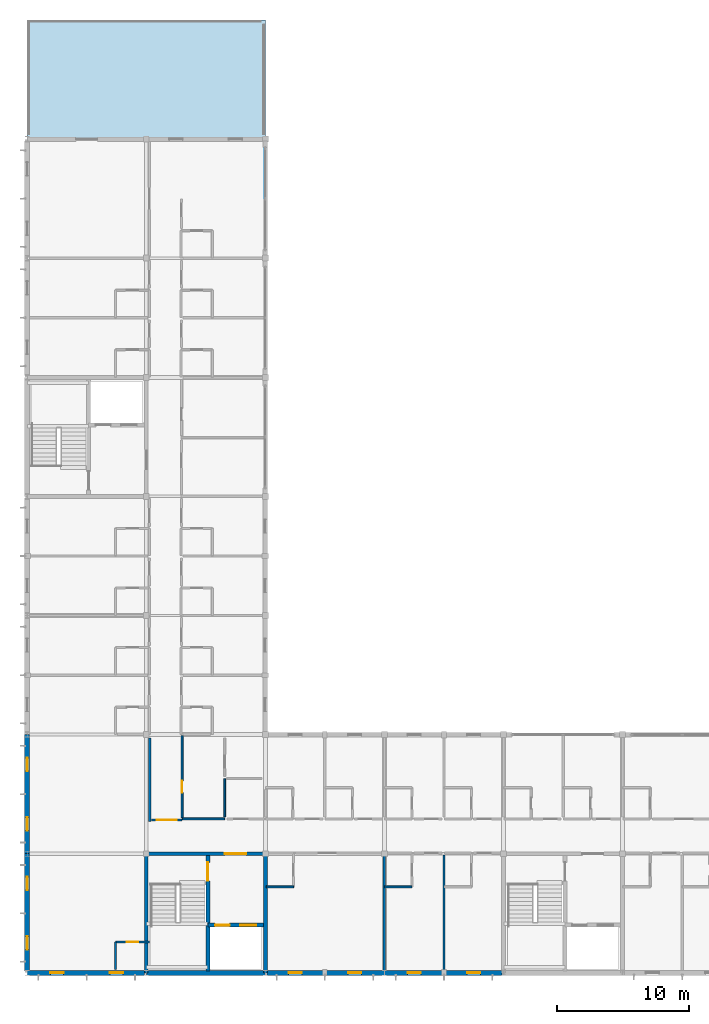
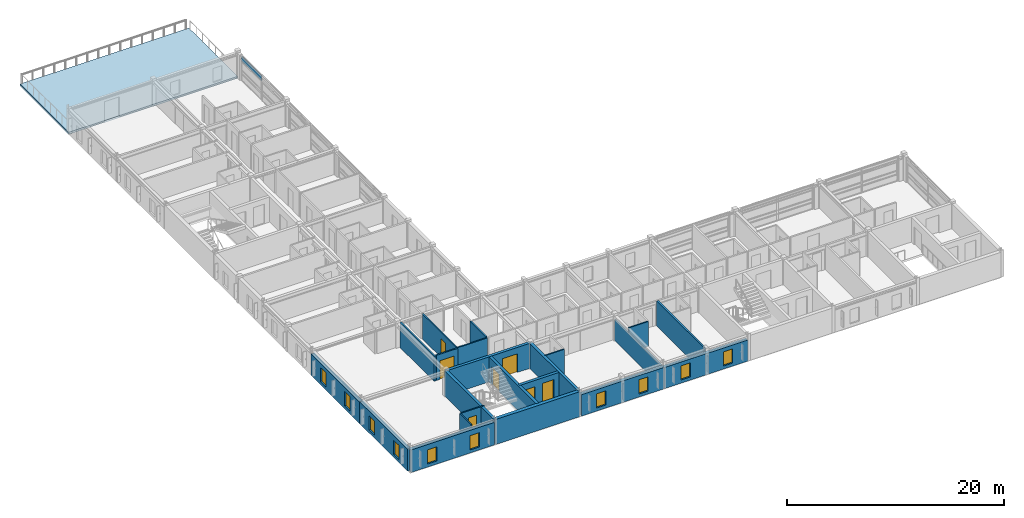
# One storey, part 8 of 20: 22 walls, 10 windows, 7 doors, 1 plate, 1 slab, 17 openings, 1 element without a shape of its own.
"""IFC4 building model written with IfcOpenShell, lengths in metres."""

from ifc_helpers import new_model, si_unit, direction, frame, frame_2d, origin, origin_2d, place, context, subcontext, project, spatial, polyline, rectangle, outline, extrude, material, layer, layer_set, type_object, element, fill, aggregate, save


model = new_model("IFC4")

# Units and contexts
model_context = context("Model", 3, precision=1e-05, world=origin(), true_north=direction((0.0, 1.0)))
body_context = subcontext(model_context, "Body", "Model", "MODEL_VIEW")
ifc_project = project(units=[si_unit("LENGTHUNIT", "METRE"), si_unit("AREAUNIT", "SQUARE_METRE"), si_unit("VOLUMEUNIT", "CUBIC_METRE"), si_unit("PLANEANGLEUNIT", "RADIAN"), si_unit("MASSUNIT", "GRAM", prefix="KILO")], contexts=[model_context])

# Site, building, storey
site_placement = place(None, origin())
site = spatial("IfcSite", under=ifc_project, at=site_placement, CompositionType="ELEMENT")
building_placement = place(site_placement, origin())
building = spatial("IfcBuilding", under=site, at=building_placement, Name="Palais des Congres Ocreval", CompositionType="ELEMENT")
storey_placement = place(building_placement, frame((0.0, 0.0, 20.639892578125)))
storey = spatial("IfcBuildingStorey", under=building, at=storey_placement, Name="L06", CompositionType="ELEMENT", Elevation=20.639892578125)

# Curtain wall, plate
ifc_material_1 = material(Name="Anodized bronze aluminium and low-E glass", Category="glass")
curtain_wall_type = type_object("IfcCurtainWallType", Name="Unitised Curtain Wall 7900x2820", PredefinedType="USERDEFINED", material=ifc_material_1)
curtain_wall_placement = place(storey_placement, origin())
curtain_wall = element("IfcCurtainWall", 1, at=curtain_wall_placement, inside=storey, type_object=curtain_wall_type, Name="Unitised Curtain Wall CW04 L06", ObjectType="UNITISED CURTAIN WALL", PredefinedType="USERDEFINED")
ifc_material_2 = material(Name="Anodized bronze aluminium", Category="aluminium")
ifc_layer_1 = layer(ifc_material_2, 0.06005859375)
ifc_layer_set_1 = layer_set([ifc_layer_1], Name="Anodized Bronze Spandrel Cassette 60 (Anodized bronze aluminium)")
plate_type = type_object("IfcPlateType", Name="Anodized Bronze Spandrel Cassette 60", PredefinedType="SHEET", material=ifc_layer_set_1)
plate_placement = place(storey_placement, frame((18.0, 60.407470703125, 2.2001953125), z_axis=(0.0, 0.0, 1.0), x_axis=(0.0, -1.0, 0.0)))
plate = element("IfcPlate", 2, at=plate_placement, type_object=plate_type, Name="Spandrel Sheet SPN1", PredefinedType="SHEET", context=body_context, shape_type="SweptSolid", body=[
    extrude(rectangle(XDim=3.7451171875, YDim=0.06005859375, at=origin_2d()), origin(), (0.0, 0.0, 1.0), 0.56005859375),
])
aggregate(curtain_wall, [plate])

# Slab
ifc_material_3 = material(Name="Concrete C40/50", Category="concrete")
ifc_layer_2 = layer(ifc_material_3, 0.219970703125)
ifc_layer_set_2 = layer_set([ifc_layer_2], Name="Post-Tensioned Hotel Slab 220 Concrete C40/50")
slab_type = type_object("IfcSlabType", Name="Post-Tensioned Hotel Slab 220 Concrete C40/50", PredefinedType="FLOOR", material=ifc_layer_set_2)
slab_placement = place(storey_placement, frame((0.0, 0.0, -0.219970703125)))
element("IfcSlab", 3, at=slab_placement, inside=storey, type_object=slab_type, Name="Hotel North Cloister Terrace", PredefinedType="FLOOR", context=body_context, shape_type="SweptSolid", body=[
    extrude(outline(polyline([(0.0, 63.0), (0.0, 72.0), (18.0, 72.0), (18.0, 63.0), (0.0, 63.0)])), origin(), (0.0, 0.0, 1.0), 0.219970703125),
])

# Wall, opening, door
ifc_material_4 = material(Name="Moisture-resistant gypsum board")
ifc_layer_3 = layer(ifc_material_4, 0.139892578125)
ifc_layer_set_3 = layer_set([ifc_layer_3], Name="Bathroom Plumbing Chase Wall 140 Gypsum (Moisture-resistant gypsum board)")
wall_type_1 = type_object("IfcWallType", Name="Bathroom Plumbing Chase Wall 140 Gypsum", PredefinedType="PLUMBINGWALL", material=ifc_layer_set_3)
wall_1_placement = place(storey_placement, frame((6.679931640625, 2.330078125, 0.0), z_axis=(0.0, 0.0, 1.0), x_axis=(1.0, 0.0, 0.0)))
wall_1 = element("IfcWall", 4, at=wall_1_placement, inside=storey, type_object=wall_type_1, Name="Bathroom Plumbing Wall PW03 L06", PredefinedType="PLUMBINGWALL", context=body_context, shape_type="SweptSolid", body=[
    extrude(rectangle(XDim=2.56005859375, YDim=0.139892578125, at=frame_2d((1.280029296875, 0.0))), origin(), (0.0, 0.0, 1.0), 2.820068359375),
])
opening_1_placement = place(wall_1_placement, frame((0.85498046875, 0.0, 0.0)))
opening_1 = element("IfcOpeningElement", 5, at=opening_1_placement, cuts=wall_1, Name="Opening D08", PredefinedType="OPENING", context=body_context, shape_type="SweptSolid", body=[
    extrude(rectangle(XDim=0.85009765625, YDim=2.0400390625, at=frame_2d((0.425048828125, 1.02001953125))), frame((0.0, 0.079833984375, 0.0), z_axis=(0.0, -1.0, 0.0), x_axis=(1.0, 0.0, 0.0)), (0.0, 0.0, 1.0), 0.159912109375),
])
ifc_material_5 = material(Name="Solid French oak", Category="wood")
door_type_1 = type_object("IfcDoorType", Name="En-Suite Bathroom Door 850x2040", OperationType="NOTDEFINED", PredefinedType="DOOR", material=ifc_material_5)
door_1_placement = place(opening_1_placement, origin())
door_1 = element("IfcDoor", 6, at=door_1_placement, inside=storey, type_object=door_type_1, Name="En-Suite Bathroom Door D08 L06", OperationType="SINGLE_SWING_RIGHT", OverallHeight=2.0400390625, OverallWidth=0.85009765625, PredefinedType="DOOR", context=body_context, shape_type="SweptSolid", body=[
    extrude(rectangle(XDim=0.85009765625, YDim=2.0400390625, at=frame_2d((0.425048828125, 1.02001953125))), frame((0.0, 0.02490234375, 0.0), z_axis=(0.0, -1.0, 0.0), x_axis=(1.0, 0.0, 0.0)), (0.0, 0.0, 1.0), 0.050048828125),
])
fill(opening_1, door_1)

# Walls
wall_2_placement = place(storey_placement, frame((6.679931640625, 0.27001953125, 0.0), z_axis=(0.0, 0.0, 1.0), x_axis=(0.0, 1.0, 0.0)))
element("IfcWall", 7, at=wall_2_placement, inside=storey, type_object=wall_type_1, Name="Bathroom Plumbing Wall PW03 L06", PredefinedType="PLUMBINGWALL", context=body_context, shape_type="SweptSolid", body=[
    extrude(rectangle(XDim=2.06005859375, YDim=0.139892578125, at=frame_2d((1.030029296875, 0.0))), origin(), (0.0, 0.0, 1.0), 2.820068359375),
])
wall_3_placement = place(storey_placement, frame((18.070068359375, 6.5, 0.0), z_axis=(0.0, 0.0, 1.0), x_axis=(1.0, 0.0, 0.0)))
element("IfcWall", 8, at=wall_3_placement, inside=storey, type_object=wall_type_1, Name="Bathroom Plumbing Wall PW03 L06", PredefinedType="PLUMBINGWALL", context=body_context, shape_type="SweptSolid", body=[
    extrude(rectangle(XDim=2.059814453125, YDim=0.139892578125, at=frame_2d((1.02978515625, 0.0))), origin(), (0.0, 0.0, 1.0), 2.820068359375),
])
wall_4_placement = place(storey_placement, frame((27.02001953125, 6.5, 0.0), z_axis=(0.0, 0.0, 1.0), x_axis=(1.0, 0.0, 0.0)))
element("IfcWall", 9, at=wall_4_placement, inside=storey, type_object=wall_type_1, Name="Bathroom Plumbing Wall PW03 L06", PredefinedType="PLUMBINGWALL", context=body_context, shape_type="SweptSolid", body=[
    extrude(rectangle(XDim=2.06005859375, YDim=0.139892578125, at=frame_2d((1.030029296875, 0.0))), origin(), (0.0, 0.0, 1.0), 2.820068359375),
])
wall_5_placement = place(storey_placement, frame((11.719970703125, 11.635009765625, 0.0), z_axis=(0.0, 0.0, 1.0), x_axis=(1.0, 0.0, 0.0)))
element("IfcWall", 10, at=wall_5_placement, inside=storey, type_object=wall_type_1, Name="Interior Partition PW03 L06", PredefinedType="PLUMBINGWALL", context=body_context, shape_type="SweptSolid", body=[
    extrude(rectangle(XDim=3.2099609375, YDim=0.139892578125, at=frame_2d((1.60498046875, 0.0))), origin(), (0.0, 0.0, 1.0), 2.820068359375),
])
wall_6_placement = place(storey_placement, frame((14.93505859375, 11.7900390625, 0.0), z_axis=(0.0, 0.0, 1.0), x_axis=(0.0, 1.0, 0.0)))
element("IfcWall", 11, at=wall_6_placement, inside=storey, type_object=wall_type_1, Name="Interior Partition PW03 L06", PredefinedType="PLUMBINGWALL", context=body_context, shape_type="SweptSolid", body=[
    extrude(rectangle(XDim=2.889892578125, YDim=0.139892578125, at=frame_2d((1.44482421875, 0.0))), origin(), (0.0, 0.0, 1.0), 2.820068359375),
])

# Wall, opening, door
wall_7_placement = place(storey_placement, frame((11.7099609375, 11.705078125, 0.0), z_axis=(0.0, 0.0, 1.0), x_axis=(0.0, 1.0, 0.0)))
wall_7 = element("IfcWall", 12, at=wall_7_placement, inside=storey, type_object=wall_type_1, Name="Interior Partition PW03 L06", PredefinedType="PLUMBINGWALL", context=body_context, shape_type="SweptSolid", body=[
    extrude(rectangle(XDim=6.219970703125, YDim=0.139892578125, at=frame_2d((3.10986328125, 0.0))), origin(), (0.0, 0.0, 1.0), 2.820068359375),
])
opening_2_placement = place(wall_7_placement, frame((1.91357421875, 0.0, 0.0)))
opening_2 = element("IfcOpeningElement", 13, at=opening_2_placement, cuts=wall_7, Name="Opening D09", PredefinedType="OPENING", context=body_context, shape_type="SweptSolid", body=[
    extrude(rectangle(XDim=0.89990234375, YDim=2.10009765625, at=frame_2d((0.449951171875, 1.050048828125))), frame((0.0, 0.079833984375, 0.0), z_axis=(0.0, -1.0, 0.0), x_axis=(1.0, 0.0, 0.0)), (0.0, 0.0, 1.0), 0.159912109375),
])
door_type_2 = type_object("IfcDoorType", Name="Accessible Restroom Door 900x2100", OperationType="NOTDEFINED", PredefinedType="DOOR", material=ifc_material_5)
door_2_placement = place(opening_2_placement, origin())
door_2 = element("IfcDoor", 14, at=door_2_placement, inside=storey, type_object=door_type_2, Name="Interior Door D09 L06", OperationType="SINGLE_SWING_RIGHT", OverallHeight=2.10009765625, OverallWidth=0.89990234375, PredefinedType="DOOR", context=body_context, shape_type="SweptSolid", body=[
    extrude(rectangle(XDim=0.89990234375, YDim=2.10009765625, at=frame_2d((0.449951171875, 1.050048828125))), frame((0.0, 0.02490234375, 0.0), z_axis=(0.0, -1.0, 0.0), x_axis=(1.0, 0.0, 0.0)), (0.0, 0.0, 1.0), 0.050048828125),
])
fill(opening_2, door_2)

# Wall
ifc_layer_4 = layer(ifc_material_3, 0.300048828125)
ifc_layer_set_4 = layer_set([ifc_layer_4], Name="Core Shear Wall 300 Concrete C40/50")
wall_type_2 = type_object("IfcWallType", Name="Core Shear Wall 300 Concrete C40/50", PredefinedType="SHEAR", material=ifc_layer_set_4)
wall_8_placement = place(storey_placement, frame((18.0, 0.0, 0.0), z_axis=(0.0, 0.0, 1.0), x_axis=(0.0, 1.0, 0.0)))
element("IfcWall", 15, at=wall_8_placement, inside=storey, type_object=wall_type_2, Name="Core Shear Wall SC01 L06 E", PredefinedType="SHEAR", context=body_context, shape_type="SweptSolid", body=[
    extrude(rectangle(XDim=9.0, YDim=0.300048828125, at=frame_2d((4.5, 0.0))), origin(), (0.0, 0.0, 1.0), 2.820068359375),
])

# Wall, opening, door
wall_9_placement = place(storey_placement, frame((9.0, 9.0, 0.0), z_axis=(0.0, 0.0, 1.0), x_axis=(1.0, 0.0, 0.0)))
wall_9 = element("IfcWall", 16, at=wall_9_placement, inside=storey, type_object=wall_type_2, Name="Core Shear Wall SC01 L06 N", PredefinedType="SHEAR", context=body_context, shape_type="SweptSolid", body=[
    extrude(rectangle(XDim=9.0, YDim=0.300048828125, at=frame_2d((4.5, 0.0))), origin(), (0.0, 0.0, 1.0), 2.820068359375),
])
opening_3_placement = place(wall_9_placement, frame((5.949951171875, 0.0, 0.0)))
opening_3 = element("IfcOpeningElement", 17, at=opening_3_placement, cuts=wall_9, Name="Opening D02", PredefinedType="OPENING", context=body_context, shape_type="SweptSolid", body=[
    extrude(rectangle(XDim=1.60009765625, YDim=2.10009765625, at=frame_2d((0.800048828125, 1.050048828125))), frame((0.0, 0.159912109375, 0.0), z_axis=(0.0, -1.0, 0.0), x_axis=(1.0, 0.0, 0.0)), (0.0, 0.0, 1.0), 0.320068359375),
])
ifc_material_6 = material(Name="Painted fire-rated steel", Category="steel")
door_type_3 = type_object("IfcDoorType", Name="Firefighting Lobby Rated Door 1600x2100", OperationType="NOTDEFINED", PredefinedType="DOOR", material=ifc_material_6)
door_3_placement = place(opening_3_placement, origin())
door_3 = element("IfcDoor", 18, at=door_3_placement, inside=storey, type_object=door_type_3, Name="Firefighting Lobby Entrance Door SC01 L06", OperationType="DOUBLE_DOOR_SINGLE_SWING", OverallHeight=2.10009765625, OverallWidth=1.60009765625, PredefinedType="DOOR", context=body_context, shape_type="SweptSolid", body=[
    extrude(rectangle(XDim=1.60009765625, YDim=2.10009765625, at=frame_2d((0.800048828125, 1.050048828125))), frame((0.0, 0.02490234375, 0.0), z_axis=(0.0, -1.0, 0.0), x_axis=(1.0, 0.0, 0.0)), (0.0, 0.0, 1.0), 0.050048828125),
])
fill(opening_3, door_3)

# Wall
wall_10_placement = place(storey_placement, frame((9.0, 0.0, 0.0), z_axis=(0.0, 0.0, 1.0), x_axis=(0.0, 1.0, 0.0)))
element("IfcWall", 19, at=wall_10_placement, inside=storey, type_object=wall_type_2, Name="Core Shear Wall SC01 L06 W", PredefinedType="SHEAR", context=body_context, shape_type="SweptSolid", body=[
    extrude(rectangle(XDim=9.0, YDim=0.300048828125, at=frame_2d((4.5, 0.0))), origin(), (0.0, 0.0, 1.0), 2.820068359375),
])

# Wall, opening, door
wall_11_placement = place(storey_placement, frame((13.64990234375, 0.14990234375, 0.0), z_axis=(0.0, 0.0, 1.0), x_axis=(0.0, 1.0, 0.0)))
wall_11 = element("IfcWall", 20, at=wall_11_placement, inside=storey, type_object=wall_type_2, Name="Core Spine Shear Wall SC01 L06", PredefinedType="SHEAR", context=body_context, shape_type="SweptSolid", body=[
    extrude(rectangle(XDim=8.7001953125, YDim=0.300048828125, at=frame_2d((4.35009765625, 0.0))), origin(), (0.0, 0.0, 1.0), 2.820068359375),
])
opening_4_placement = place(wall_11_placement, frame((6.800048828125, 0.0, 0.0)))
opening_4 = element("IfcOpeningElement", 21, at=opening_4_placement, cuts=wall_11, Name="Opening D03", PredefinedType="OPENING", context=body_context, shape_type="SweptSolid", body=[
    extrude(rectangle(XDim=1.39990234375, YDim=2.02001953125, at=frame_2d((0.699951171875, 1.010009765625))), frame((0.0, 0.159912109375, 0.0), z_axis=(0.0, -1.0, 0.0), x_axis=(1.0, 0.0, 0.0)), (0.0, 0.0, 1.0), 0.320068359375),
])
door_type_4 = type_object("IfcDoorType", Name="Core Lobby Rated Door 1400x2020", OperationType="NOTDEFINED", PredefinedType="DOOR", material=ifc_material_6)
door_4_placement = place(opening_4_placement, origin())
door_4 = element("IfcDoor", 22, at=door_4_placement, inside=storey, type_object=door_type_4, Name="Protected Exit Stair Door ST01 L06", OperationType="SINGLE_SWING_LEFT", OverallHeight=2.02001953125, OverallWidth=1.39990234375, PredefinedType="DOOR", context=body_context, shape_type="SweptSolid", body=[
    extrude(rectangle(XDim=1.39990234375, YDim=2.02001953125, at=frame_2d((0.699951171875, 1.010009765625))), frame((0.0, 0.02490234375, 0.0), z_axis=(0.0, -1.0, 0.0), x_axis=(1.0, 0.0, 0.0)), (0.0, 0.0, 1.0), 0.050048828125),
])
fill(opening_4, door_4)

# Wall, openings, doors
wall_12_placement = place(storey_placement, frame((13.64990234375, 3.60009765625, 0.0), z_axis=(0.0, 0.0, 1.0), x_axis=(1.0, 0.0, 0.0)))
wall_12 = element("IfcWall", 23, at=wall_12_placement, inside=storey, type_object=wall_type_2, Name="Lift Shaft Front Wall SC01 L06", PredefinedType="SHEAR", context=body_context, shape_type="SweptSolid", body=[
    extrude(rectangle(XDim=4.2001953125, YDim=0.300048828125, at=frame_2d((2.10009765625, 0.0))), origin(), (0.0, 0.0, 1.0), 2.820068359375),
])
opening_5_placement = place(wall_12_placement, frame((0.550048828125, 0.0, 0.0)))
opening_5 = element("IfcOpeningElement", 24, at=opening_5_placement, cuts=wall_12, Name="Opening LD01", PredefinedType="OPENING", context=body_context, shape_type="SweptSolid", body=[
    extrude(rectangle(XDim=1.10009765625, YDim=2.10009765625, at=frame_2d((0.550048828125, 1.050048828125))), frame((0.0, 0.159912109375, 0.0), z_axis=(0.0, -1.0, 0.0), x_axis=(1.0, 0.0, 0.0)), (0.0, 0.0, 1.0), 0.320068359375),
])
opening_6_placement = place(wall_12_placement, frame((2.449951171875, 0.0, 0.0)))
opening_6 = element("IfcOpeningElement", 25, at=opening_6_placement, cuts=wall_12, Name="Opening LD02", PredefinedType="OPENING", context=body_context, shape_type="SweptSolid", body=[
    extrude(rectangle(XDim=1.199951171875, YDim=2.199951171875, at=frame_2d((0.60009765625, 1.10009765625))), frame((0.0, 0.159912109375, 0.0), z_axis=(0.0, -1.0, 0.0), x_axis=(1.0, 0.0, 0.0)), (0.0, 0.0, 1.0), 0.320068359375),
])
ifc_material_7 = material(Name="Stainless steel", Category="steel")
door_type_5 = type_object("IfcDoorType", Name="Firefighting Lift Sliding Landing Door 1100x2100", OperationType="NOTDEFINED", PredefinedType="DOOR", material=ifc_material_7)
door_5_placement = place(opening_5_placement, origin())
door_5 = element("IfcDoor", 26, at=door_5_placement, inside=storey, type_object=door_type_5, Name="Lift Landing Sliding Door FF1 L06", OperationType="DOUBLE_DOOR_SLIDING", OverallHeight=2.10009765625, OverallWidth=1.10009765625, PredefinedType="DOOR", context=body_context, shape_type="SweptSolid", body=[
    extrude(rectangle(XDim=1.10009765625, YDim=2.10009765625, at=frame_2d((0.550048828125, 1.050048828125))), frame((0.0, 0.02490234375, 0.0), z_axis=(0.0, -1.0, 0.0), x_axis=(1.0, 0.0, 0.0)), (0.0, 0.0, 1.0), 0.050048828125),
])
fill(opening_5, door_5)
ifc_material_8 = material(Name="Anodized bronze steel", Category="steel")
door_type_6 = type_object("IfcDoorType", Name="Passenger and Service Lift Sliding Door 1200x2200", OperationType="NOTDEFINED", PredefinedType="DOOR", material=ifc_material_8)
door_6_placement = place(opening_6_placement, origin())
door_6 = element("IfcDoor", 27, at=door_6_placement, inside=storey, type_object=door_type_6, Name="Lift Landing Sliding Door PL1 L06", OperationType="DOUBLE_DOOR_SLIDING", OverallHeight=2.199951171875, OverallWidth=1.199951171875, PredefinedType="DOOR", context=body_context, shape_type="SweptSolid", body=[
    extrude(rectangle(XDim=1.199951171875, YDim=2.199951171875, at=frame_2d((0.60009765625, 1.10009765625))), frame((0.0, 0.02490234375, 0.0), z_axis=(0.0, -1.0, 0.0), x_axis=(1.0, 0.0, 0.0)), (0.0, 0.0, 1.0), 0.050048828125),
])
fill(opening_6, door_6)

# Wall, opening, door
ifc_material_9 = material(Name="Gypsum acoustic partition")
ifc_layer_5 = layer(ifc_material_9, 0.159912109375)
ifc_layer_set_5 = layer_set([ifc_layer_5], Name="Corridor Fire Partition 160 Gypsum (Gypsum acoustic partition)")
wall_type_3 = type_object("IfcWallType", Name="Corridor Fire Partition 160 Gypsum", PredefinedType="PARTITIONING", material=ifc_layer_set_5)
wall_13_placement = place(storey_placement, frame((9.405029296875, 11.550048828125, 0.0), z_axis=(0.0, 0.0, 1.0), x_axis=(1.0, 0.0, 0.0)))
wall_13 = element("IfcWall", 28, at=wall_13_placement, inside=storey, type_object=wall_type_3, Name="Interior Partition IW03 L06", PredefinedType="PARTITIONING", context=body_context, shape_type="SweptSolid", body=[
    extrude(rectangle(XDim=2.294921875, YDim=0.159912109375, at=frame_2d((1.1474609375, 0.0))), origin(), (0.0, 0.0, 1.0), 2.820068359375),
])
opening_7_placement = place(wall_13_placement, frame((0.3974609375, 0.0, 0.0)))
opening_7 = element("IfcOpeningElement", 29, at=opening_7_placement, cuts=wall_13, Name="Opening D04", PredefinedType="OPENING", context=body_context, shape_type="SweptSolid", body=[
    extrude(rectangle(XDim=1.5, YDim=2.10009765625, at=frame_2d((0.75, 1.050048828125))), frame((0.0, 0.08984375, 0.0), z_axis=(0.0, -1.0, 0.0), x_axis=(1.0, 0.0, 0.0)), (0.0, 0.0, 1.0), 0.179931640625),
])
ifc_material_10 = material(Name="Solid French oak fire door", Category="wood")
door_type_7 = type_object("IfcDoorType", Name="Corridor Compartment Double Door 1500x2100", OperationType="NOTDEFINED", PredefinedType="DOOR", material=ifc_material_10)
door_7_placement = place(opening_7_placement, origin())
door_7 = element("IfcDoor", 30, at=door_7_placement, inside=storey, type_object=door_type_7, Name="Interior Door D04 L06", OperationType="DOUBLE_DOOR_SINGLE_SWING", OverallHeight=2.10009765625, OverallWidth=1.5, PredefinedType="DOOR", context=body_context, shape_type="SweptSolid", body=[
    extrude(rectangle(XDim=1.5, YDim=2.10009765625, at=frame_2d((0.75, 1.050048828125))), frame((0.0, 0.02490234375, 0.0), z_axis=(0.0, -1.0, 0.0), x_axis=(1.0, 0.0, 0.0)), (0.0, 0.0, 1.0), 0.050048828125),
])
fill(opening_7, door_7)

# Walls
ifc_layer_6 = layer(ifc_material_9, 0.179931640625)
ifc_layer_set_6 = layer_set([ifc_layer_6], Name="Hotel Inter-Room Acoustic Partition 180 Gypsum (Gypsum acoustic partition)")
wall_type_4 = type_object("IfcWallType", Name="Hotel Inter-Room Acoustic Partition 180 Gypsum", PredefinedType="PARTITIONING", material=ifc_layer_set_6)
wall_14_placement = place(storey_placement, frame((9.25, 11.449951171875, 0.0), z_axis=(0.0, 0.0, 1.0), x_axis=(0.0, 1.0, 0.0)))
element("IfcWall", 31, at=wall_14_placement, inside=storey, type_object=wall_type_4, Name="Hotel Party Partition IW02 L06", PredefinedType="PARTITIONING", context=body_context, shape_type="SweptSolid", body=[
    extrude(rectangle(XDim=6.300048828125, YDim=0.179931640625, at=frame_2d((3.14990234375, 0.0))), origin(), (0.0, 0.0, 1.0), 2.820068359375),
])
wall_15_placement = place(storey_placement, frame((26.97509765625, 0.195068359375, 0.0), z_axis=(0.0, 0.0, 1.0), x_axis=(0.0, 1.0, 0.0)))
element("IfcWall", 32, at=wall_15_placement, inside=storey, type_object=wall_type_4, Name="Hotel Party Partition IW02 L06", PredefinedType="PARTITIONING", context=body_context, shape_type="SweptSolid", body=[
    extrude(rectangle(XDim=8.7099609375, YDim=0.179931640625, at=frame_2d((4.35498046875, 0.0))), origin(), (0.0, 0.0, 1.0), 2.2900390625),
])
wall_16_placement = place(storey_placement, frame((31.5, 0.195068359375, 0.0), z_axis=(0.0, 0.0, 1.0), x_axis=(0.0, 1.0, 0.0)))
element("IfcWall", 33, at=wall_16_placement, inside=storey, type_object=wall_type_4, Name="Hotel Party Partition IW02 L06", PredefinedType="PARTITIONING", context=body_context, shape_type="SweptSolid", body=[
    extrude(rectangle(XDim=8.7099609375, YDim=0.179931640625, at=frame_2d((4.35498046875, 0.0))), origin(), (0.0, 0.0, 1.0), 2.820068359375),
])

# Wall, openings, windows
ifc_layer_7 = layer(ifc_material_3, 0.3798828125)
ifc_layer_set_7 = layer_set([ifc_layer_7], Name="Lutetian Limestone Street Wall 380 Concrete C40/50")
wall_type_5 = type_object("IfcWallType", Name="Lutetian Limestone Street Wall 380 Concrete C40/50", PredefinedType="SOLIDWALL", material=ifc_layer_set_7)
wall_17_placement = place(storey_placement, frame((35.8701171875, 0.0, 0.0), z_axis=(0.0, 0.0, 1.0), x_axis=(-1.0, 0.0, 0.0)))
wall_17 = element("IfcWall", 34, at=wall_17_placement, inside=storey, type_object=wall_type_5, Name="Exterior Wall EW03 L06", PredefinedType="SOLIDWALL", context=body_context, shape_type="SweptSolid", body=[
    extrude(rectangle(XDim=8.8701171875, YDim=0.3798828125, at=frame_2d((4.43505859375, 0.0))), origin(), (0.0, 0.0, 1.0), 2.380126953125),
])
opening_8_placement = place(wall_17_placement, frame((1.6201171875, 0.0, 0.35009765625)))
opening_8 = element("IfcOpeningElement", 35, at=opening_8_placement, cuts=wall_17, Name="Opening WN18", PredefinedType="OPENING", context=body_context, shape_type="SweptSolid", body=[
    extrude(rectangle(XDim=1.0, YDim=1.60009765625, at=frame_2d((0.5, 0.800048828125))), frame((0.0, 0.199951171875, 0.0), z_axis=(0.0, -1.0, 0.0), x_axis=(1.0, 0.0, 0.0)), (0.0, 0.0, 1.0), 0.39990234375),
])
opening_9_placement = place(wall_17_placement, frame((6.1201171875, 0.0, 0.35009765625)))
opening_9 = element("IfcOpeningElement", 36, at=opening_9_placement, cuts=wall_17, Name="Opening WN18", PredefinedType="OPENING", context=body_context, shape_type="SweptSolid", body=[
    extrude(rectangle(XDim=1.0, YDim=1.60009765625, at=frame_2d((0.5, 0.800048828125))), frame((0.0, 0.199951171875, 0.0), z_axis=(0.0, -1.0, 0.0), x_axis=(1.0, 0.0, 0.0)), (0.0, 0.0, 1.0), 0.39990234375),
])
window_type = type_object("IfcWindowType", Name="Stair and Lobby Daylight Window 1000x1600", PartitioningType="SINGLE_PANEL", PredefinedType="WINDOW", material=ifc_material_1)
window_1_placement = place(opening_8_placement, origin())
window_1 = element("IfcWindow", 37, at=window_1_placement, inside=storey, type_object=window_type, Name="Hotel Facade Window WN18", OverallHeight=1.60009765625, OverallWidth=1.0, PartitioningType="SINGLE_PANEL", PredefinedType="WINDOW", context=body_context, shape_type="SweptSolid", body=[
    extrude(rectangle(XDim=1.0, YDim=1.60009765625, at=frame_2d((0.5, 0.800048828125))), frame((0.0, 0.030029296875, 0.0), z_axis=(0.0, -1.0, 0.0), x_axis=(1.0, 0.0, 0.0)), (0.0, 0.0, 1.0), 0.06005859375),
])
fill(opening_8, window_1)
window_2_placement = place(opening_9_placement, origin())
window_2 = element("IfcWindow", 38, at=window_2_placement, inside=storey, type_object=window_type, Name="Hotel Facade Window WN18", OverallHeight=1.60009765625, OverallWidth=1.0, PartitioningType="SINGLE_PANEL", PredefinedType="WINDOW", context=body_context, shape_type="SweptSolid", body=[
    extrude(rectangle(XDim=1.0, YDim=1.60009765625, at=frame_2d((0.5, 0.800048828125))), frame((0.0, 0.030029296875, 0.0), z_axis=(0.0, -1.0, 0.0), x_axis=(1.0, 0.0, 0.0)), (0.0, 0.0, 1.0), 0.06005859375),
])
fill(opening_9, window_2)

wall_18_placement = place(storey_placement, frame((27.0, 0.0, 0.0), z_axis=(0.0, 0.0, 1.0), x_axis=(-1.0, 0.0, 0.0)))
wall_18 = element("IfcWall", 39, at=wall_18_placement, inside=storey, type_object=wall_type_5, Name="Exterior Wall EW03 L06", PredefinedType="SOLIDWALL", context=body_context, shape_type="SweptSolid", body=[
    extrude(rectangle(XDim=8.8701171875, YDim=0.3798828125, at=frame_2d((4.43505859375, 0.0))), origin(), (0.0, 0.0, 1.0), 2.420166015625),
])
opening_10_placement = place(wall_18_placement, frame((1.75, 0.0, 0.35009765625)))
opening_10 = element("IfcOpeningElement", 40, at=opening_10_placement, cuts=wall_18, Name="Opening WN18", PredefinedType="OPENING", context=body_context, shape_type="SweptSolid", body=[
    extrude(rectangle(XDim=1.0, YDim=1.60009765625, at=frame_2d((0.5, 0.800048828125))), frame((0.0, 0.199951171875, 0.0), z_axis=(0.0, -1.0, 0.0), x_axis=(1.0, 0.0, 0.0)), (0.0, 0.0, 1.0), 0.39990234375),
])
opening_11_placement = place(wall_18_placement, frame((6.25, 0.0, 0.35009765625)))
opening_11 = element("IfcOpeningElement", 41, at=opening_11_placement, cuts=wall_18, Name="Opening WN18", PredefinedType="OPENING", context=body_context, shape_type="SweptSolid", body=[
    extrude(rectangle(XDim=1.0, YDim=1.60009765625, at=frame_2d((0.5, 0.800048828125))), frame((0.0, 0.199951171875, 0.0), z_axis=(0.0, -1.0, 0.0), x_axis=(1.0, 0.0, 0.0)), (0.0, 0.0, 1.0), 0.39990234375),
])
window_3_placement = place(opening_10_placement, origin())
window_3 = element("IfcWindow", 42, at=window_3_placement, inside=storey, type_object=window_type, Name="Hotel Facade Window WN18", OverallHeight=1.60009765625, OverallWidth=1.0, PartitioningType="SINGLE_PANEL", PredefinedType="WINDOW", context=body_context, shape_type="SweptSolid", body=[
    extrude(rectangle(XDim=1.0, YDim=1.60009765625, at=frame_2d((0.5, 0.800048828125))), frame((0.0, 0.030029296875, 0.0), z_axis=(0.0, -1.0, 0.0), x_axis=(1.0, 0.0, 0.0)), (0.0, 0.0, 1.0), 0.06005859375),
])
fill(opening_10, window_3)
window_4_placement = place(opening_11_placement, origin())
window_4 = element("IfcWindow", 43, at=window_4_placement, inside=storey, type_object=window_type, Name="Hotel Facade Window WN18", OverallHeight=1.60009765625, OverallWidth=1.0, PartitioningType="SINGLE_PANEL", PredefinedType="WINDOW", context=body_context, shape_type="SweptSolid", body=[
    extrude(rectangle(XDim=1.0, YDim=1.60009765625, at=frame_2d((0.5, 0.800048828125))), frame((0.0, 0.030029296875, 0.0), z_axis=(0.0, -1.0, 0.0), x_axis=(1.0, 0.0, 0.0)), (0.0, 0.0, 1.0), 0.06005859375),
])
fill(opening_11, window_4)

# Wall
wall_19_placement = place(storey_placement, frame((18.0, 0.0, 0.0), z_axis=(0.0, 0.0, 1.0), x_axis=(-1.0, 0.0, 0.0)))
element("IfcWall", 44, at=wall_19_placement, inside=storey, type_object=wall_type_5, Name="Core Perimeter Shear Wall EW03 SC01 L06", PredefinedType="SOLIDWALL", context=body_context, shape_type="SweptSolid", body=[
    extrude(rectangle(XDim=9.0, YDim=0.3798828125, at=frame_2d((4.5, 0.0))), origin(), (0.0, 0.0, 1.0), 2.820068359375),
])

# Wall, openings, windows
wall_20_placement = place(storey_placement, frame((8.8701171875, 0.0, 0.0), z_axis=(0.0, 0.0, 1.0), x_axis=(-1.0, 0.0, 0.0)))
wall_20 = element("IfcWall", 45, at=wall_20_placement, inside=storey, type_object=wall_type_5, Name="Exterior Wall EW03 L06", PredefinedType="SOLIDWALL", context=body_context, shape_type="SweptSolid", body=[
    extrude(rectangle(XDim=8.8701171875, YDim=0.3798828125, at=frame_2d((4.43505859375, 0.0))), origin(), (0.0, 0.0, 1.0), 2.550048828125),
])
opening_12_placement = place(wall_20_placement, frame((1.6201171875, 0.0, 0.35009765625)))
opening_12 = element("IfcOpeningElement", 46, at=opening_12_placement, cuts=wall_20, Name="Opening WN18", PredefinedType="OPENING", context=body_context, shape_type="SweptSolid", body=[
    extrude(rectangle(XDim=1.0, YDim=1.60009765625, at=frame_2d((0.5, 0.800048828125))), frame((0.0, 0.199951171875, 0.0), z_axis=(0.0, -1.0, 0.0), x_axis=(1.0, 0.0, 0.0)), (0.0, 0.0, 1.0), 0.39990234375),
])
opening_13_placement = place(wall_20_placement, frame((6.1201171875, 0.0, 0.35009765625)))
opening_13 = element("IfcOpeningElement", 47, at=opening_13_placement, cuts=wall_20, Name="Opening WN18", PredefinedType="OPENING", context=body_context, shape_type="SweptSolid", body=[
    extrude(rectangle(XDim=1.0, YDim=1.60009765625, at=frame_2d((0.5, 0.800048828125))), frame((0.0, 0.199951171875, 0.0), z_axis=(0.0, -1.0, 0.0), x_axis=(1.0, 0.0, 0.0)), (0.0, 0.0, 1.0), 0.39990234375),
])
window_5_placement = place(opening_12_placement, origin())
window_5 = element("IfcWindow", 48, at=window_5_placement, inside=storey, type_object=window_type, Name="Hotel Facade Window WN18", OverallHeight=1.60009765625, OverallWidth=1.0, PartitioningType="SINGLE_PANEL", PredefinedType="WINDOW", context=body_context, shape_type="SweptSolid", body=[
    extrude(rectangle(XDim=1.0, YDim=1.60009765625, at=frame_2d((0.5, 0.800048828125))), frame((0.0, 0.030029296875, 0.0), z_axis=(0.0, -1.0, 0.0), x_axis=(1.0, 0.0, 0.0)), (0.0, 0.0, 1.0), 0.06005859375),
])
fill(opening_12, window_5)
window_6_placement = place(opening_13_placement, origin())
window_6 = element("IfcWindow", 49, at=window_6_placement, inside=storey, type_object=window_type, Name="Hotel Facade Window WN18", OverallHeight=1.60009765625, OverallWidth=1.0, PartitioningType="SINGLE_PANEL", PredefinedType="WINDOW", context=body_context, shape_type="SweptSolid", body=[
    extrude(rectangle(XDim=1.0, YDim=1.60009765625, at=frame_2d((0.5, 0.800048828125))), frame((0.0, 0.030029296875, 0.0), z_axis=(0.0, -1.0, 0.0), x_axis=(1.0, 0.0, 0.0)), (0.0, 0.0, 1.0), 0.06005859375),
])
fill(opening_13, window_6)

wall_21_placement = place(storey_placement, frame((0.0, 0.155029296875, 0.0), z_axis=(0.0, 0.0, 1.0), x_axis=(0.0, 1.0, 0.0)))
wall_21 = element("IfcWall", 50, at=wall_21_placement, inside=storey, type_object=wall_type_5, Name="Exterior Wall EW03 L06", PredefinedType="SOLIDWALL", context=body_context, shape_type="SweptSolid", body=[
    extrude(rectangle(XDim=8.844970703125, YDim=0.3798828125, at=frame_2d((4.42236328125, 0.0))), origin(), (0.0, 0.0, 1.0), 2.480224609375),
])
opening_14_placement = place(wall_21_placement, frame((1.594970703125, 0.0, 0.35009765625)))
opening_14 = element("IfcOpeningElement", 51, at=opening_14_placement, cuts=wall_21, Name="Opening WN18", PredefinedType="OPENING", context=body_context, shape_type="SweptSolid", body=[
    extrude(rectangle(XDim=1.0, YDim=1.60009765625, at=frame_2d((0.5, 0.800048828125))), frame((0.0, 0.199951171875, 0.0), z_axis=(0.0, -1.0, 0.0), x_axis=(1.0, 0.0, 0.0)), (0.0, 0.0, 1.0), 0.39990234375),
])
opening_15_placement = place(wall_21_placement, frame((6.094970703125, 0.0, 0.35009765625)))
opening_15 = element("IfcOpeningElement", 52, at=opening_15_placement, cuts=wall_21, Name="Opening WN18", PredefinedType="OPENING", context=body_context, shape_type="SweptSolid", body=[
    extrude(rectangle(XDim=1.0, YDim=1.60009765625, at=frame_2d((0.5, 0.800048828125))), frame((0.0, 0.199951171875, 0.0), z_axis=(0.0, -1.0, 0.0), x_axis=(1.0, 0.0, 0.0)), (0.0, 0.0, 1.0), 0.39990234375),
])
window_7_placement = place(opening_14_placement, origin())
window_7 = element("IfcWindow", 53, at=window_7_placement, inside=storey, type_object=window_type, Name="Hotel Facade Window WN18", OverallHeight=1.60009765625, OverallWidth=1.0, PartitioningType="SINGLE_PANEL", PredefinedType="WINDOW", context=body_context, shape_type="SweptSolid", body=[
    extrude(rectangle(XDim=1.0, YDim=1.60009765625, at=frame_2d((0.5, 0.800048828125))), frame((0.0, 0.030029296875, 0.0), z_axis=(0.0, -1.0, 0.0), x_axis=(1.0, 0.0, 0.0)), (0.0, 0.0, 1.0), 0.06005859375),
])
fill(opening_14, window_7)
window_8_placement = place(opening_15_placement, origin())
window_8 = element("IfcWindow", 54, at=window_8_placement, inside=storey, type_object=window_type, Name="Hotel Facade Window WN18", OverallHeight=1.60009765625, OverallWidth=1.0, PartitioningType="SINGLE_PANEL", PredefinedType="WINDOW", context=body_context, shape_type="SweptSolid", body=[
    extrude(rectangle(XDim=1.0, YDim=1.60009765625, at=frame_2d((0.5, 0.800048828125))), frame((0.0, 0.030029296875, 0.0), z_axis=(0.0, -1.0, 0.0), x_axis=(1.0, 0.0, 0.0)), (0.0, 0.0, 1.0), 0.06005859375),
])
fill(opening_15, window_8)

wall_22_placement = place(storey_placement, frame((0.0, 9.0, 0.0), z_axis=(0.0, 0.0, 1.0), x_axis=(0.0, 1.0, 0.0)))
wall_22 = element("IfcWall", 55, at=wall_22_placement, inside=storey, type_object=wall_type_5, Name="Exterior Wall EW03 L06", PredefinedType="SOLIDWALL", context=body_context, shape_type="SweptSolid", body=[
    extrude(rectangle(XDim=9.0, YDim=0.3798828125, at=frame_2d((4.5, 0.0))), origin(), (0.0, 0.0, 1.0), 2.420166015625),
])
opening_16_placement = place(wall_22_placement, frame((1.75, 0.0, 0.35009765625)))
opening_16 = element("IfcOpeningElement", 56, at=opening_16_placement, cuts=wall_22, Name="Opening WN18", PredefinedType="OPENING", context=body_context, shape_type="SweptSolid", body=[
    extrude(rectangle(XDim=1.0, YDim=1.60009765625, at=frame_2d((0.5, 0.800048828125))), frame((0.0, 0.199951171875, 0.0), z_axis=(0.0, -1.0, 0.0), x_axis=(1.0, 0.0, 0.0)), (0.0, 0.0, 1.0), 0.39990234375),
])
opening_17_placement = place(wall_22_placement, frame((6.25, 0.0, 0.35009765625)))
opening_17 = element("IfcOpeningElement", 57, at=opening_17_placement, cuts=wall_22, Name="Opening WN18", PredefinedType="OPENING", context=body_context, shape_type="SweptSolid", body=[
    extrude(rectangle(XDim=1.0, YDim=1.60009765625, at=frame_2d((0.5, 0.800048828125))), frame((0.0, 0.199951171875, 0.0), z_axis=(0.0, -1.0, 0.0), x_axis=(1.0, 0.0, 0.0)), (0.0, 0.0, 1.0), 0.39990234375),
])
window_9_placement = place(opening_16_placement, origin())
window_9 = element("IfcWindow", 58, at=window_9_placement, inside=storey, type_object=window_type, Name="Hotel Facade Window WN18", OverallHeight=1.60009765625, OverallWidth=1.0, PartitioningType="SINGLE_PANEL", PredefinedType="WINDOW", context=body_context, shape_type="SweptSolid", body=[
    extrude(rectangle(XDim=1.0, YDim=1.60009765625, at=frame_2d((0.5, 0.800048828125))), frame((0.0, 0.030029296875, 0.0), z_axis=(0.0, -1.0, 0.0), x_axis=(1.0, 0.0, 0.0)), (0.0, 0.0, 1.0), 0.06005859375),
])
fill(opening_16, window_9)
window_10_placement = place(opening_17_placement, origin())
window_10 = element("IfcWindow", 59, at=window_10_placement, inside=storey, type_object=window_type, Name="Hotel Facade Window WN18", OverallHeight=1.60009765625, OverallWidth=1.0, PartitioningType="SINGLE_PANEL", PredefinedType="WINDOW", context=body_context, shape_type="SweptSolid", body=[
    extrude(rectangle(XDim=1.0, YDim=1.60009765625, at=frame_2d((0.5, 0.800048828125))), frame((0.0, 0.030029296875, 0.0), z_axis=(0.0, -1.0, 0.0), x_axis=(1.0, 0.0, 0.0)), (0.0, 0.0, 1.0), 0.06005859375),
])
fill(opening_17, window_10)

save(model, "model.ifc")
